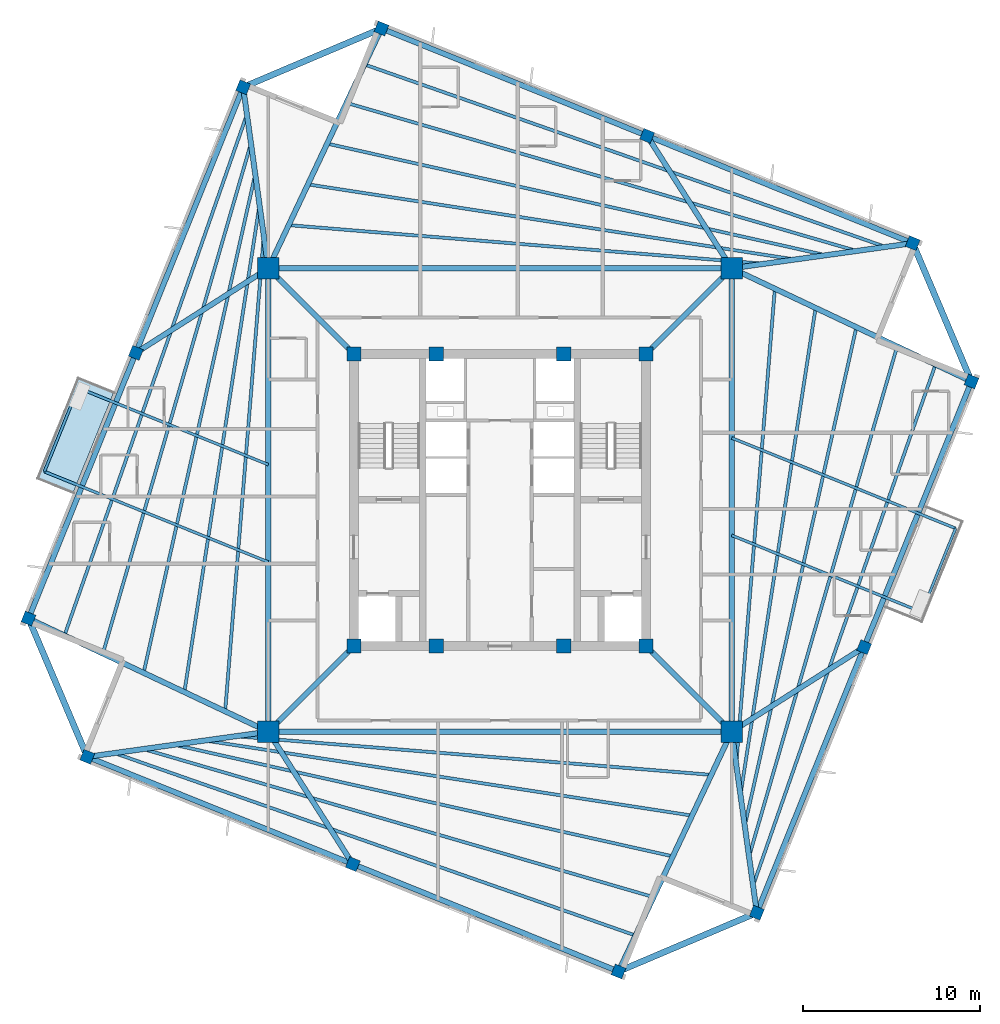
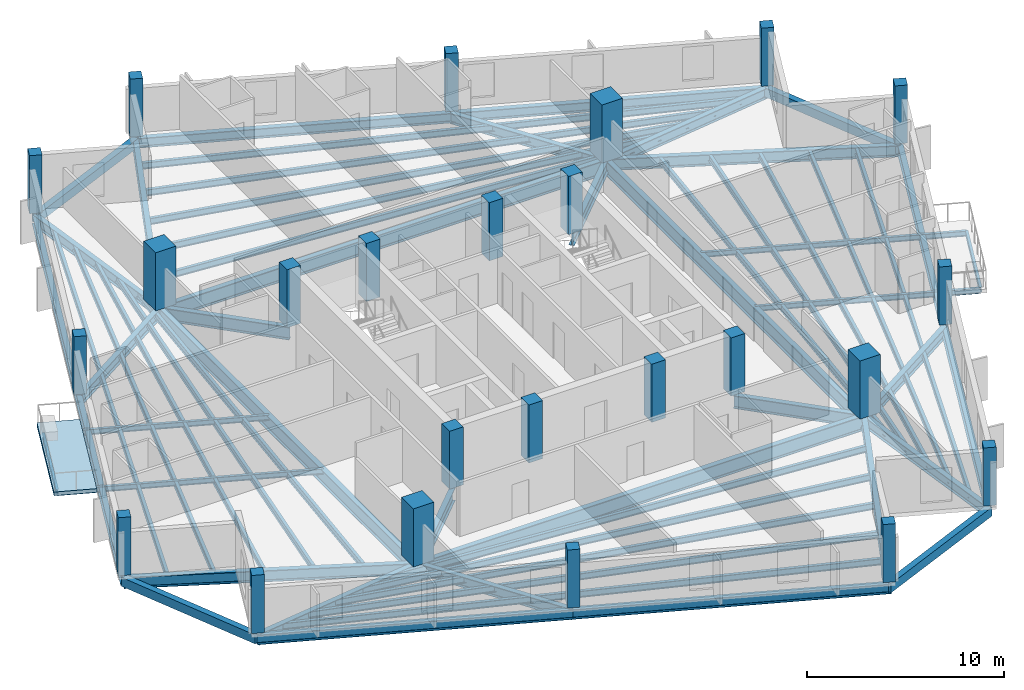
# One storey, part 1 of 9: 58 beams, 24 columns, 1 slab.
"""IFC4 building model written with IfcOpenShell, lengths in metres."""

from ifc_helpers import new_model, si_unit, direction, frame, origin, origin_2d, place, context, subcontext, project, spatial, polyline, rectangle, i_section, outline, extrude, source, transform, mapped, material, layer, layer_set, material_profile, profile_set, type_object, element, save


model = new_model("IFC4")

# Units and contexts
model_context = context("Model", 3, precision=1e-05, world=origin(), true_north=direction((0.0, 1.0)))
body_context = subcontext(model_context, "Body", "Model", "MODEL_VIEW")
ifc_project = project(units=[si_unit("LENGTHUNIT", "METRE"), si_unit("AREAUNIT", "SQUARE_METRE"), si_unit("VOLUMEUNIT", "CUBIC_METRE"), si_unit("PLANEANGLEUNIT", "RADIAN"), si_unit("MASSUNIT", "GRAM", prefix="KILO"), si_unit("THERMODYNAMICTEMPERATUREUNIT", "KELVIN")], contexts=[model_context])

# Site, building, storey
site_placement = place(None, origin())
site = spatial("IfcSite", under=ifc_project, at=site_placement, CompositionType="ELEMENT")
building_placement = place(site_placement, origin())
building = spatial("IfcBuilding", under=site, at=building_placement, Name="Kosmvard Interchange Tower", CompositionType="ELEMENT")
storey_placement = place(building_placement, frame((0.0, 0.0, 301.199951171875)))
storey = spatial("IfcBuildingStorey", under=building, at=storey_placement, Name="L74", CompositionType="ELEMENT", Elevation=301.199951171875)

# Columns
ifc_material_1 = material(Name="Concrete C50/60", Category="concrete")
ifc_material_profile_1 = material_profile(ifc_material_1, rectangle(XDim=0.800048828125, YDim=0.800048828125, at=origin_2d()), Name="CP 800x800")
ifc_profile_set_1 = profile_set([ifc_material_profile_1], Name="Concrete C50/60")
column_type_1 = type_object("IfcColumnType", Name="Core Boundary Pilaster 800x800 C50/60", PredefinedType="PILASTER", material=ifc_profile_set_1)
shared_shape_1 = source(origin(), body_context, "Body", "SweptSolid", [
    extrude(rectangle(XDim=0.800048828125, YDim=0.800048828125, at=origin_2d()), origin(), (0.0, 0.0, 1.0), 3.60009765625),
])
for number, where, z_axis, x_axis, name in (
    (1, (-8.25, -8.25, 0.0), (0.0, 0.0, 1.0), (1.0, 0.0, 0.0), "L74 Core Pilaster CP1"),
    (2, (8.25, -8.25, 0.0), (0.0, 0.0, 1.0), (1.0, 0.0, 0.0), "L74 Core Pilaster CP2"),
    (3, (8.25, 8.25, 0.0), (0.0, 0.0, 1.0), (1.0, 0.0, 0.0), "L74 Core Pilaster CP3"),
    (4, (-8.25, 8.25, 0.0), (0.0, 0.0, 1.0), (1.0, 0.0, 0.0), "L74 Core Pilaster CP4"),
    (5, (-3.60009765625, -8.25, 0.0), (0.0, 0.0, 1.0), (1.0, 0.0, 0.0), "L74 Core Pilaster CP5"),
    (6, (3.60009765625, -8.25, 0.0), (0.0, 0.0, 1.0), (1.0, 0.0, 0.0), "L74 Core Pilaster CP6"),
    (7, (-3.60009765625, 8.25, 0.0), (0.0, 0.0, 1.0), (1.0, 0.0, 0.0), "L74 Core Pilaster CP7"),
    (8, (3.60009765625, 8.25, 0.0), (0.0, 0.0, 1.0), (1.0, 0.0, 0.0), "L74 Core Pilaster CP8"),
):
    element("IfcColumn", number, at=place(storey_placement, frame(where, z_axis=z_axis, x_axis=x_axis)), inside=storey, type_object=column_type_1, Name=name, PredefinedType="PILASTER", context=body_context, shape_type="MappedRepresentation", body=[
        mapped(shared_shape_1, transform((0.0, 0.0, 0.0), scale=1.0)),
    ])
ifc_material_profile_2 = material_profile(ifc_material_1, rectangle(XDim=1.199951171875, YDim=1.199951171875, at=origin_2d()), Name="MC 1200x1200")
ifc_profile_set_2 = profile_set([ifc_material_profile_2], Name="Concrete C50/60")
column_type_2 = type_object("IfcColumnType", Name="Composite Mega-Column 1200x1200 C50/60", PredefinedType="COLUMN", material=ifc_profile_set_2)
shared_shape_2 = source(origin(), body_context, "Body", "SweptSolid", [
    extrude(rectangle(XDim=1.199951171875, YDim=1.199951171875, at=origin_2d()), origin(), (0.0, 0.0, 1.0), 3.60009765625),
])
for number, where, z_axis, x_axis, name in (
    (9, (-13.0810546875, -13.0810546875, 0.0), (0.0, 0.0, 1.0), (1.0, 0.0, 0.0), "L74 Corner Mega-Column MC1"),
    (10, (13.0810546875, -13.0810546875, 0.0), (0.0, 0.0, 1.0), (1.0, 0.0, 0.0), "L74 Corner Mega-Column MC2"),
    (11, (13.0810546875, 13.0810546875, 0.0), (0.0, 0.0, 1.0), (1.0, 0.0, 0.0), "L74 Corner Mega-Column MC3"),
    (12, (-13.0810546875, 13.0810546875, 0.0), (0.0, 0.0, 1.0), (1.0, 0.0, 0.0), "L74 Corner Mega-Column MC4"),
):
    element("IfcColumn", number, at=place(storey_placement, frame(where, z_axis=z_axis, x_axis=x_axis)), inside=storey, type_object=column_type_2, Name=name, PredefinedType="COLUMN", context=body_context, shape_type="MappedRepresentation", body=[
        mapped(shared_shape_2, transform((0.0, 0.0, 0.0), scale=1.0)),
    ])
ifc_material_profile_3 = material_profile(ifc_material_1, rectangle(XDim=0.64990234375, YDim=0.64990234375, at=origin_2d()), Name="TC 650x650")
ifc_profile_set_3 = profile_set([ifc_material_profile_3], Name="Concrete C50/60")
column_type_3 = type_object("IfcColumnType", Name="Zone 5 Perimeter Pier Column 650x650 C50/60", PredefinedType="COLUMN", material=ifc_profile_set_3)
shared_shape_3 = source(origin(), body_context, "Body", "SweptSolid", [
    extrude(rectangle(XDim=0.64990234375, YDim=0.64990234375, at=origin_2d()), origin(), (0.0, 0.0, 1.0), 3.60009765625),
])
for number, where, z_axis, x_axis, name in (
    (13, (14.5009765625, -23.30419921875, 0.0), (0.0, 0.0, 1.0), (0.374606593416, 0.927183854567, 0.0), "L74 Perimeter Pier Column TC-S1"),
    (14, (20.560302734375, -8.306884765625, 0.0), (0.0, 0.0, 1.0), (0.374606593416, 0.927183854567, 0.0), "L74 Perimeter Pier Column TC-S2"),
    (15, (26.61962890625, 6.690185546875, 0.0), (0.0, 0.0, 1.0), (0.374606593416, 0.927183854567, 0.0), "L74 Perimeter Pier Column TC-S3"),
    (16, (23.30419921875, 14.5009765625, 0.0), (0.0, 0.0, 1.0), (0.374606593416, 0.927183854567, 0.0), "L74 Perimeter Pier Column TC-E1"),
    (17, (8.306884765625, 20.560302734375, 0.0), (0.0, 0.0, 1.0), (0.374606593416, 0.927183854567, 0.0), "L74 Perimeter Pier Column TC-E2"),
    (18, (-6.690185546875, 26.61962890625, 0.0), (0.0, 0.0, 1.0), (0.374606593416, 0.927183854567, 0.0), "L74 Perimeter Pier Column TC-E3"),
    (19, (-14.5009765625, 23.30419921875, 0.0), (0.0, 0.0, 1.0), (0.374606593416, 0.927183854567, 0.0), "L74 Perimeter Pier Column TC-N1"),
    (20, (-20.560302734375, 8.306884765625, 0.0), (0.0, 0.0, 1.0), (0.374606593416, 0.927183854567, 0.0), "L74 Perimeter Pier Column TC-N2"),
    (21, (-26.61962890625, -6.690185546875, 0.0), (0.0, 0.0, 1.0), (0.374606593416, 0.927183854567, 0.0), "L74 Perimeter Pier Column TC-N3"),
    (22, (-23.30419921875, -14.5009765625, 0.0), (0.0, 0.0, 1.0), (0.374606593416, 0.927183854567, 0.0), "L74 Perimeter Pier Column TC-W1"),
    (23, (-8.306884765625, -20.560302734375, 0.0), (0.0, 0.0, 1.0), (0.374606593416, 0.927183854567, 0.0), "L74 Perimeter Pier Column TC-W2"),
    (24, (6.690185546875, -26.61962890625, 0.0), (0.0, 0.0, 1.0), (0.374606593416, 0.927183854567, 0.0), "L74 Perimeter Pier Column TC-W3"),
):
    element("IfcColumn", number, at=place(storey_placement, frame(where, z_axis=z_axis, x_axis=x_axis)), inside=storey, type_object=column_type_3, Name=name, PredefinedType="COLUMN", context=body_context, shape_type="MappedRepresentation", body=[
        mapped(shared_shape_3, transform((0.0, 0.0, 0.0), scale=1.0)),
    ])

# Beams
ifc_material_2 = material(Name="Steel S355", Category="steel")
ifc_material_profile_4 = material_profile(ifc_material_2, i_section(OverallWidth=0.14990234375, OverallDepth=0.300048828125, WebThickness=0.007080078125, FlangeThickness=0.0107421875, FilletRadius=0.014892578125, at=origin_2d()), Name="IPE 300")
ifc_profile_set_4 = profile_set([ifc_material_profile_4], Name="Steel S355")
beam_type_1 = type_object("IfcBeamType", Name="Balcony Edge Header Joist IPE 300 S355", PredefinedType="JOIST", material=ifc_profile_set_4)
shared_shape_4 = source(origin(), body_context, "Body", "SweptSolid", [
    extrude(i_section(OverallWidth=0.14990234375, OverallDepth=0.300048828125, WebThickness=0.007080078125, FlangeThickness=0.0107421875, FilletRadius=0.014892578125, at=origin_2d()), origin(), (0.0, 0.0, 1.0), 5.10009765625),
])
for number, where, z_axis, x_axis, name in (
    (25, (-23.812255859375, 6.331298828125, -0.39990234375), (-0.37458256161, -0.927193563684, 0.0), (0.927193563684, -0.37458256161, 0.0), "BM-L74-BJH1"),
    (26, (23.812255859375, -6.331298828125, -0.39990234375), (0.37458256161, 0.927193563684, 0.0), (-0.927193563684, 0.37458256161, 0.0), "BM-L74-BJH2"),
):
    element("IfcBeam", number, at=place(storey_placement, frame(where, z_axis=z_axis, x_axis=x_axis)), inside=storey, type_object=beam_type_1, Name=name, PredefinedType="JOIST", context=body_context, shape_type="MappedRepresentation", body=[
        mapped(shared_shape_4, transform((0.0, 0.0, 0.0), scale=1.0)),
    ])
ifc_material_profile_5 = material_profile(ifc_material_2, i_section(OverallWidth=0.300048828125, OverallDepth=0.800048828125, WebThickness=0.017578125, FlangeThickness=0.032958984375, FilletRadius=0.027099609375, at=origin_2d()), Name="HEB 800")
ifc_profile_set_5 = profile_set([ifc_material_profile_5], Name="Steel S355")
beam_type_2 = type_object("IfcBeamType", Name="Primary Mega-Frame Girder HEB 800 S355", PredefinedType="BEAM", material=ifc_profile_set_5)
shared_shape_5 = source(origin(), body_context, "Body", "SweptSolid", [
    extrude(i_section(OverallWidth=0.300048828125, OverallDepth=0.800048828125, WebThickness=0.017578125, FlangeThickness=0.032958984375, FilletRadius=0.027099609375, at=origin_2d()), origin(), (0.0, 0.0, 1.0), 6.83203125),
])
for number, where, z_axis, x_axis, name in (
    (27, (-8.25, -8.25, -0.64990234375), (-0.707106781187, -0.707106781187, 0.0), (0.707106781187, -0.707106781187, 0.0), "L74 Radial Mega-Frame Girder 1"),
    (28, (8.25, -8.25, -0.64990234375), (0.707106781187, -0.707106781187, 0.0), (0.707106781187, 0.707106781187, 0.0), "L74 Radial Mega-Frame Girder 2"),
    (29, (8.25, 8.25, -0.64990234375), (0.707106781187, 0.707106781187, 0.0), (-0.707106781187, 0.707106781187, 0.0), "L74 Radial Mega-Frame Girder 3"),
    (30, (-8.25, 8.25, -0.64990234375), (-0.707106781187, 0.707106781187, 0.0), (-0.707106781187, -0.707106781187, 0.0), "L74 Radial Mega-Frame Girder 4"),
):
    element("IfcBeam", number, at=place(storey_placement, frame(where, z_axis=z_axis, x_axis=x_axis)), inside=storey, type_object=beam_type_2, Name=name, PredefinedType="BEAM", context=body_context, shape_type="MappedRepresentation", body=[
        mapped(shared_shape_5, transform((0.0, 0.0, 0.0), scale=1.0)),
    ])
ifc_material_profile_6 = material_profile(ifc_material_2, i_section(OverallWidth=0.300048828125, OverallDepth=0.89990234375, WebThickness=0.0185546875, FlangeThickness=0.034912109375, FilletRadius=0.030029296875, at=origin_2d()), Name="HEB 900")
ifc_profile_set_6 = profile_set([ifc_material_profile_6], Name="Steel S355")
beam_type_3 = type_object("IfcBeamType", Name="Mega-Column Ring Girder HEB 900 S355", PredefinedType="BEAM", material=ifc_profile_set_6)
shared_shape_6 = source(origin(), body_context, "Body", "SweptSolid", [
    extrude(i_section(OverallWidth=0.300048828125, OverallDepth=0.89990234375, WebThickness=0.0185546875, FlangeThickness=0.034912109375, FilletRadius=0.030029296875, at=origin_2d()), origin(), (0.0, 0.0, 1.0), 26.162109375),
])
for number, where, z_axis, x_axis, name in (
    (31, (-13.0810546875, -13.0810546875, -0.699951171875), (1.0, 0.0, 0.0), (0.0, 1.0, 0.0), "L74 Mega-Column Ring Girder 1"),
    (32, (13.0810546875, -13.0810546875, -0.699951171875), (0.0, 1.0, 0.0), (-1.0, 0.0, 0.0), "L74 Mega-Column Ring Girder 2"),
    (33, (13.0810546875, 13.0810546875, -0.699951171875), (-1.0, 0.0, 0.0), (0.0, -1.0, 0.0), "L74 Mega-Column Ring Girder 3"),
    (34, (-13.0810546875, 13.0810546875, -0.699951171875), (0.0, -1.0, 0.0), (1.0, 0.0, 0.0), "L74 Mega-Column Ring Girder 4"),
):
    element("IfcBeam", number, at=place(storey_placement, frame(where, z_axis=z_axis, x_axis=x_axis)), inside=storey, type_object=beam_type_3, Name=name, PredefinedType="BEAM", context=body_context, shape_type="MappedRepresentation", body=[
        mapped(shared_shape_6, transform((0.0, 0.0, 0.0), scale=1.0)),
    ])
ifc_material_profile_7 = material_profile(ifc_material_2, i_section(OverallWidth=0.300048828125, OverallDepth=0.60009765625, WebThickness=0.015380859375, FlangeThickness=0.030029296875, FilletRadius=0.027099609375, at=origin_2d()), Name="HEB 600")
ifc_profile_set_7 = profile_set([ifc_material_profile_7], Name="Steel S355")
beam_type_4 = type_object("IfcBeamType", Name="Perimeter Tie Girder HEB 600 S355", PredefinedType="BEAM", material=ifc_profile_set_7)
shared_shape_7 = source(origin(), body_context, "Body", "SweptSolid", [
    extrude(i_section(OverallWidth=0.300048828125, OverallDepth=0.60009765625, WebThickness=0.015380859375, FlangeThickness=0.030029296875, FilletRadius=0.027099609375, at=origin_2d()), origin(), (0.0, 0.0, 1.0), 16.175048828125),
])
for number, where, z_axis, x_axis, name in (
    (35, (14.5009765625, -23.30419921875, -0.550048828125), (0.374607540279, 0.927183472009, 0.0), (-0.927183472009, 0.374607540279, 0.0), "BM-L74-PR01"),
    (36, (23.30419921875, 14.5009765625, -0.550048828125), (-0.927183472009, 0.374607540279, 0.0), (-0.374607540279, -0.927183472009, 0.0), "BM-L74-PR04"),
    (37, (-14.5009765625, 23.30419921875, -0.550048828125), (-0.374607540279, -0.927183472009, 0.0), (0.927183472009, -0.374607540279, 0.0), "BM-L74-PR07"),
    (38, (-23.30419921875, -14.5009765625, -0.550048828125), (0.927183472009, -0.374607540279, 0.0), (0.374607540279, 0.927183472009, 0.0), "BM-L74-PR10"),
):
    element("IfcBeam", number, at=place(storey_placement, frame(where, z_axis=z_axis, x_axis=x_axis)), inside=storey, type_object=beam_type_4, Name=name, PredefinedType="BEAM", context=body_context, shape_type="MappedRepresentation", body=[
        mapped(shared_shape_7, transform((0.0, 0.0, 0.0), scale=1.0)),
    ])
ifc_material_profile_8 = material_profile(ifc_material_2, i_section(OverallWidth=0.300048828125, OverallDepth=0.64990234375, WebThickness=0.01611328125, FlangeThickness=0.031005859375, FilletRadius=0.027099609375, at=origin_2d()), Name="HEB 650")
ifc_profile_set_8 = profile_set([ifc_material_profile_8], Name="Steel S355")
beam_type_5 = type_object("IfcBeamType", Name="Primary Floor Girder HEB 650 S355", PredefinedType="BEAM", material=ifc_profile_set_8)
shared_shape_8 = source(origin(), body_context, "Body", "SweptSolid", [
    extrude(i_section(OverallWidth=0.300048828125, OverallDepth=0.64990234375, WebThickness=0.01611328125, FlangeThickness=0.031005859375, FilletRadius=0.027099609375, at=origin_2d()), origin(), (0.0, 0.0, 1.0), 10.3212890625),
])
for number, where, z_axis, x_axis, name in (
    (39, (13.0810546875, -13.0810546875, -0.574951171875), (0.137572239014, -0.990491735984, 0.0), (0.990491735984, 0.137572239014, 0.0), "BM-L74-RD01"),
    (40, (13.0810546875, 13.0810546875, -0.574951171875), (0.990491735984, 0.137572239014, 0.0), (-0.137572239014, 0.990491735984, 0.0), "BM-L74-RD04"),
    (41, (-13.0810546875, 13.0810546875, -0.574951171875), (-0.137572239014, 0.990491735984, 0.0), (-0.990491735984, -0.137572239014, 0.0), "BM-L74-RD07"),
    (42, (-13.0810546875, -13.0810546875, -0.574951171875), (-0.990491735984, -0.137572239014, 0.0), (0.137572239014, -0.990491735984, 0.0), "BM-L74-RD10"),
):
    element("IfcBeam", number, at=place(storey_placement, frame(where, z_axis=z_axis, x_axis=x_axis)), inside=storey, type_object=beam_type_5, Name=name, PredefinedType="BEAM", context=body_context, shape_type="MappedRepresentation", body=[
        mapped(shared_shape_8, transform((0.0, 0.0, 0.0), scale=1.0)),
    ])
shared_shape_9 = source(origin(), body_context, "Body", "SweptSolid", [
    extrude(i_section(OverallWidth=0.300048828125, OverallDepth=0.60009765625, WebThickness=0.015380859375, FlangeThickness=0.030029296875, FilletRadius=0.027099609375, at=origin_2d()), origin(), (0.0, 0.0, 1.0), 16.1748046875),
])
for number, where, z_axis, x_axis, name in (
    (43, (20.560302734375, -8.306884765625, -0.550048828125), (0.374612782798, 0.92718135387, 0.0), (-0.92718135387, 0.374612782798, 0.0), "BM-L74-PR02"),
    (44, (8.306884765625, 20.560302734375, -0.550048828125), (-0.92718135387, 0.374612782798, 0.0), (-0.374612782798, -0.92718135387, 0.0), "BM-L74-PR05"),
    (45, (-20.560302734375, 8.306884765625, -0.550048828125), (-0.374612782798, -0.92718135387, 0.0), (0.92718135387, -0.374612782798, 0.0), "BM-L74-PR08"),
    (46, (-8.306884765625, -20.560302734375, -0.550048828125), (0.92718135387, -0.374612782798, 0.0), (0.374612782798, 0.92718135387, 0.0), "BM-L74-PR11"),
):
    element("IfcBeam", number, at=place(storey_placement, frame(where, z_axis=z_axis, x_axis=x_axis)), inside=storey, type_object=beam_type_4, Name=name, PredefinedType="BEAM", context=body_context, shape_type="MappedRepresentation", body=[
        mapped(shared_shape_9, transform((0.0, 0.0, 0.0), scale=1.0)),
    ])
shared_shape_10 = source(origin(), body_context, "Body", "SweptSolid", [
    extrude(i_section(OverallWidth=0.300048828125, OverallDepth=0.64990234375, WebThickness=0.01611328125, FlangeThickness=0.031005859375, FilletRadius=0.027099609375, at=origin_2d()), origin(), (0.0, 0.0, 1.0), 8.873046875),
])
for number, where, z_axis, x_axis, name in (
    (47, (13.0810546875, -13.0810546875, -0.574951171875), (0.842912916934, 0.538050011119, 0.0), (-0.538050011119, 0.842912916934, 0.0), "BM-L74-RD02"),
    (48, (13.0810546875, 13.0810546875, -0.574951171875), (-0.538050011119, 0.842912916934, 0.0), (-0.842912916934, -0.538050011119, 0.0), "BM-L74-RD05"),
    (49, (-13.0810546875, 13.0810546875, -0.574951171875), (-0.842912916934, -0.538050011119, 0.0), (0.538050011119, -0.842912916934, 0.0), "BM-L74-RD08"),
    (50, (-13.0810546875, -13.0810546875, -0.574951171875), (0.538050011119, -0.842912916934, 0.0), (0.842912916934, 0.538050011119, 0.0), "BM-L74-RD11"),
):
    element("IfcBeam", number, at=place(storey_placement, frame(where, z_axis=z_axis, x_axis=x_axis)), inside=storey, type_object=beam_type_5, Name=name, PredefinedType="BEAM", context=body_context, shape_type="MappedRepresentation", body=[
        mapped(shared_shape_10, transform((0.0, 0.0, 0.0), scale=1.0)),
    ])
ifc_material_3 = material(Name="Precast concrete C45/55", Category="concrete")
ifc_material_profile_9 = material_profile(ifc_material_3, rectangle(XDim=0.35009765625, YDim=0.550048828125, at=origin_2d()), Name="SL 350x550")
ifc_profile_set_9 = profile_set([ifc_material_profile_9], Name="Precast concrete C45/55")
beam_type_6 = type_object("IfcBeamType", Name="Precast Spandrel Lintel 350x550 C45/55", PredefinedType="LINTEL", material=ifc_profile_set_9)
shared_shape_11 = source(origin(), body_context, "Body", "SweptSolid", [
    extrude(rectangle(XDim=0.35009765625, YDim=0.550048828125, at=origin_2d()), origin(), (0.0, 0.0, 1.0), 8.4853515625),
])
for number, where, z_axis, x_axis, name in (
    (51, (26.61962890625, 6.690185546875, -0.52490234375), (-0.390725696857, 0.920507159025, 0.0), (-0.920507159025, -0.390725696857, 0.0), "BM-L74-SL1"),
    (52, (-6.690185546875, 26.61962890625, -0.52490234375), (-0.920507159025, -0.390725696857, 0.0), (0.390725696857, -0.920507159025, 0.0), "BM-L74-SL2"),
    (53, (-26.61962890625, -6.690185546875, -0.52490234375), (0.390725696857, -0.920507159025, 0.0), (0.920507159025, 0.390725696857, 0.0), "BM-L74-SL3"),
    (54, (6.690185546875, -26.61962890625, -0.52490234375), (0.920507159025, 0.390725696857, 0.0), (-0.390725696857, 0.920507159025, 0.0), "BM-L74-SL4"),
):
    element("IfcBeam", number, at=place(storey_placement, frame(where, z_axis=z_axis, x_axis=x_axis)), inside=storey, type_object=beam_type_6, Name=name, PredefinedType="LINTEL", context=body_context, shape_type="MappedRepresentation", body=[
        mapped(shared_shape_11, transform((0.0, 0.0, 0.0), scale=1.0)),
    ])
ifc_material_profile_10 = material_profile(ifc_material_2, i_section(OverallWidth=0.300048828125, OverallDepth=0.699951171875, WebThickness=0.01708984375, FlangeThickness=0.031982421875, FilletRadius=0.027099609375, at=origin_2d()), Name="HEB 700")
ifc_profile_set_10 = profile_set([ifc_material_profile_10], Name="Steel S355")
beam_type_7 = type_object("IfcBeamType", Name="Primary Floor Girder HEB 700 S355", PredefinedType="BEAM", material=ifc_profile_set_10)
shared_shape_12 = source(origin(), body_context, "Body", "SweptSolid", [
    extrude(i_section(OverallWidth=0.300048828125, OverallDepth=0.699951171875, WebThickness=0.01708984375, FlangeThickness=0.031982421875, FilletRadius=0.027099609375, at=origin_2d()), origin(), (0.0, 0.0, 1.0), 14.97119140625),
])
for number, where, z_axis, x_axis, name in (
    (55, (13.0810546875, 13.0810546875, -0.599853515625), (0.904309155001, -0.426878146761, 0.0), (0.426878146761, 0.904309155001, 0.0), "BM-L74-RD03"),
    (56, (-13.0810546875, 13.0810546875, -0.599853515625), (0.426878146761, 0.904309155001, 0.0), (-0.904309155001, 0.426878146761, 0.0), "BM-L74-RD06"),
    (57, (-13.0810546875, -13.0810546875, -0.599853515625), (-0.904309155001, 0.426878146761, 0.0), (-0.426878146761, -0.904309155001, 0.0), "BM-L74-RD09"),
    (58, (13.0810546875, -13.0810546875, -0.599853515625), (-0.426878146761, -0.904309155001, 0.0), (0.904309155001, -0.426878146761, 0.0), "BM-L74-RD12"),
):
    element("IfcBeam", number, at=place(storey_placement, frame(where, z_axis=z_axis, x_axis=x_axis)), inside=storey, type_object=beam_type_7, Name=name, PredefinedType="BEAM", context=body_context, shape_type="MappedRepresentation", body=[
        mapped(shared_shape_12, transform((0.0, 0.0, 0.0), scale=1.0)),
    ])
ifc_material_profile_11 = material_profile(ifc_material_2, i_section(OverallWidth=0.179931640625, OverallDepth=0.39990234375, WebThickness=0.008544921875, FlangeThickness=0.013427734375, FilletRadius=0.02099609375, at=origin_2d()), Name="IPE 400")
ifc_profile_set_11 = profile_set([ifc_material_profile_11], Name="Steel S355")
beam_type_8 = type_object("IfcBeamType", Name="Upper-Zone Floor Joist IPE 400 S355", PredefinedType="JOIST", material=ifc_profile_set_11)
shared_shape_13 = source(origin(), body_context, "Body", "SweptSolid", [
    extrude(i_section(OverallWidth=0.179931640625, OverallDepth=0.39990234375, WebThickness=0.008544921875, FlangeThickness=0.013427734375, FilletRadius=0.02099609375, at=origin_2d()), origin(), (0.0, 0.0, 1.0), 26.780029296875),
])
for number, where, z_axis, x_axis, name in (
    (59, (13.343017578125, -14.84130859375, -0.449951171875), (0.080972773487, 0.996716313679, 0.0), (-0.996716313679, 0.080972773487, 0.0), "BM-L74-FJ01"),
    (60, (14.84130859375, 13.343017578125, -0.449951171875), (-0.996716313679, 0.080972773487, 0.0), (-0.080972773487, -0.996716313679, 0.0), "BM-L74-FJ06"),
    (61, (-13.343017578125, 14.84130859375, -0.449951171875), (-0.080972773487, -0.996716313679, 0.0), (0.996716313679, -0.080972773487, 0.0), "BM-L74-FJ11"),
    (62, (-14.84130859375, -13.343017578125, -0.449951171875), (0.996716313679, -0.080972773487, 0.0), (0.080972773487, 0.996716313679, 0.0), "BM-L74-FJ16"),
):
    element("IfcBeam", number, at=place(storey_placement, frame(where, z_axis=z_axis, x_axis=x_axis)), inside=storey, type_object=beam_type_8, Name=name, PredefinedType="JOIST", context=body_context, shape_type="MappedRepresentation", body=[
        mapped(shared_shape_13, transform((0.0, 0.0, 0.0), scale=1.0)),
    ])
shared_shape_14 = source(origin(), body_context, "Body", "SweptSolid", [
    extrude(i_section(OverallWidth=0.179931640625, OverallDepth=0.39990234375, WebThickness=0.008544921875, FlangeThickness=0.013427734375, FilletRadius=0.02099609375, at=origin_2d()), origin(), (0.0, 0.0, 1.0), 27.66845703125),
])
for number, where, z_axis, x_axis, name in (
    (63, (13.590087890625, -16.580078125, -0.449951171875), (0.152421855854, 0.988315525456, 0.0), (-0.988315525456, 0.152421855854, 0.0), "BM-L74-FJ02"),
    (64, (16.580078125, 13.590087890625, -0.449951171875), (-0.988315525456, 0.152421855854, 0.0), (-0.152421855854, -0.988315525456, 0.0), "BM-L74-FJ07"),
    (65, (-13.590087890625, 16.580078125, -0.449951171875), (-0.152421855854, -0.988315525456, 0.0), (0.988315525456, -0.152421855854, 0.0), "BM-L74-FJ12"),
    (66, (-16.580078125, -13.590087890625, -0.449951171875), (0.988315525456, -0.152421855854, 0.0), (0.152421855854, 0.988315525456, 0.0), "BM-L74-FJ17"),
):
    element("IfcBeam", number, at=place(storey_placement, frame(where, z_axis=z_axis, x_axis=x_axis)), inside=storey, type_object=beam_type_8, Name=name, PredefinedType="JOIST", context=body_context, shape_type="MappedRepresentation", body=[
        mapped(shared_shape_14, transform((0.0, 0.0, 0.0), scale=1.0)),
    ])
shared_shape_15 = source(origin(), body_context, "Body", "SweptSolid", [
    extrude(i_section(OverallWidth=0.179931640625, OverallDepth=0.39990234375, WebThickness=0.008544921875, FlangeThickness=0.013427734375, FilletRadius=0.02099609375, at=origin_2d()), origin(), (0.0, 0.0, 1.0), 28.691162109375),
])
for number, where, z_axis, x_axis, name in (
    (67, (13.8369140625, -18.31884765625, -0.449951171875), (0.218415018158, 0.975855972899, 0.0), (-0.975855972899, 0.218415018158, 0.0), "BM-L74-FJ03"),
    (68, (18.31884765625, 13.8369140625, -0.449951171875), (-0.975855972899, 0.218415018158, 0.0), (-0.218415018158, -0.975855972899, 0.0), "BM-L74-FJ08"),
    (69, (-13.8369140625, 18.31884765625, -0.449951171875), (-0.218415018158, -0.975855972899, 0.0), (0.975855972899, -0.218415018158, 0.0), "BM-L74-FJ13"),
    (70, (-18.31884765625, -13.8369140625, -0.449951171875), (0.975855972899, -0.218415018158, 0.0), (0.218415018158, 0.975855972899, 0.0), "BM-L74-FJ18"),
):
    element("IfcBeam", number, at=place(storey_placement, frame(where, z_axis=z_axis, x_axis=x_axis)), inside=storey, type_object=beam_type_8, Name=name, PredefinedType="JOIST", context=body_context, shape_type="MappedRepresentation", body=[
        mapped(shared_shape_15, transform((0.0, 0.0, 0.0), scale=1.0)),
    ])
shared_shape_16 = source(origin(), body_context, "Body", "SweptSolid", [
    extrude(i_section(OverallWidth=0.179931640625, OverallDepth=0.39990234375, WebThickness=0.008544921875, FlangeThickness=0.013427734375, FilletRadius=0.02099609375, at=origin_2d()), origin(), (0.0, 0.0, 1.0), 29.83544921875),
])
for number, where, z_axis, x_axis, name in (
    (71, (14.0830078125, -20.05810546875, -0.449951171875), (0.27877586881, 0.960356191717, 0.0), (-0.960356191717, 0.27877586881, 0.0), "BM-L74-FJ04"),
    (72, (20.05810546875, 14.0830078125, -0.449951171875), (-0.960356191717, 0.27877586881, 0.0), (-0.27877586881, -0.960356191717, 0.0), "BM-L74-FJ09"),
    (73, (-14.0830078125, 20.05810546875, -0.449951171875), (-0.27877586881, -0.960356191717, 0.0), (0.960356191717, -0.27877586881, 0.0), "BM-L74-FJ14"),
    (74, (-20.05810546875, -14.0830078125, -0.449951171875), (0.960356191717, -0.27877586881, 0.0), (0.27877586881, 0.960356191717, 0.0), "BM-L74-FJ19"),
):
    element("IfcBeam", number, at=place(storey_placement, frame(where, z_axis=z_axis, x_axis=x_axis)), inside=storey, type_object=beam_type_8, Name=name, PredefinedType="JOIST", context=body_context, shape_type="MappedRepresentation", body=[
        mapped(shared_shape_16, transform((0.0, 0.0, 0.0), scale=1.0)),
    ])
shared_shape_17 = source(origin(), body_context, "Body", "SweptSolid", [
    extrude(i_section(OverallWidth=0.179931640625, OverallDepth=0.39990234375, WebThickness=0.008544921875, FlangeThickness=0.013427734375, FilletRadius=0.02099609375, at=origin_2d()), origin(), (0.0, 0.0, 1.0), 31.0107421875),
])
for number, where, z_axis, x_axis, name in (
    (75, (14.314453125, -21.695068359375, -0.449951171875), (0.330459834828, 0.943820055713, 0.0), (-0.943820055713, 0.330459834828, 0.0), "BM-L74-FJ05"),
    (76, (21.695068359375, 14.314453125, -0.449951171875), (-0.943820055713, 0.330459834828, 0.0), (-0.330459834828, -0.943820055713, 0.0), "BM-L74-FJ10"),
    (77, (-14.314453125, 21.695068359375, -0.449951171875), (-0.330459834828, -0.943820055713, 0.0), (0.943820055713, -0.330459834828, 0.0), "BM-L74-FJ15"),
    (78, (-21.695068359375, -14.314453125, -0.449951171875), (0.943820055713, -0.330459834828, 0.0), (0.330459834828, 0.943820055713, 0.0), "BM-L74-FJ20"),
):
    element("IfcBeam", number, at=place(storey_placement, frame(where, z_axis=z_axis, x_axis=x_axis)), inside=storey, type_object=beam_type_8, Name=name, PredefinedType="JOIST", context=body_context, shape_type="MappedRepresentation", body=[
        mapped(shared_shape_17, transform((0.0, 0.0, 0.0), scale=1.0)),
    ])
ifc_material_profile_12 = material_profile(ifc_material_2, i_section(OverallWidth=0.159912109375, OverallDepth=0.330078125, WebThickness=0.007568359375, FlangeThickness=0.011474609375, FilletRadius=0.01806640625, at=origin_2d()), Name="IPE 330")
ifc_profile_set_12 = profile_set([ifc_material_profile_12], Name="Steel S355")
beam_type_9 = type_object("IfcBeamType", Name="Balcony Cantilever Joist IPE 330 S355", PredefinedType="JOIST", material=ifc_profile_set_12)
shared_shape_18 = source(origin(), body_context, "Body", "SweptSolid", [
    extrude(i_section(OverallWidth=0.159912109375, OverallDepth=0.330078125, WebThickness=0.007568359375, FlangeThickness=0.011474609375, FilletRadius=0.01806640625, at=origin_2d()), origin(), (0.0, 0.0, 1.0), 11.573974609375),
])
for number, where, z_axis, x_axis, name in (
    (79, (-13.0810546875, 1.99560546875, -0.4150390625), (-0.927183654967, 0.374607087443, 0.0), (-0.374607087443, -0.927183654967, 0.0), "BM-L74-BJ1"),
    (80, (13.0810546875, -1.99560546875, -0.4150390625), (0.927183654967, -0.374607087443, 0.0), (0.374607087443, 0.927183654967, 0.0), "BM-L74-BJ2"),
):
    element("IfcBeam", number, at=place(storey_placement, frame(where, z_axis=z_axis, x_axis=x_axis)), inside=storey, type_object=beam_type_9, Name=name, PredefinedType="JOIST", context=body_context, shape_type="MappedRepresentation", body=[
        mapped(shared_shape_18, transform((0.0, 0.0, 0.0), scale=1.0)),
    ])
shared_shape_19 = source(origin(), body_context, "Body", "SweptSolid", [
    extrude(i_section(OverallWidth=0.159912109375, OverallDepth=0.330078125, WebThickness=0.007568359375, FlangeThickness=0.011474609375, FilletRadius=0.01806640625, at=origin_2d()), origin(), (0.0, 0.0, 1.0), 13.63427734375),
])
for number, where, z_axis, x_axis, name in (
    (81, (-13.0810546875, -3.5048828125, -0.4150390625), (-0.927186827234, 0.374599235723, 0.0), (-0.374599235723, -0.927186827234, 0.0), "BM-L74-BJB1"),
    (82, (13.0810546875, 3.5048828125, -0.4150390625), (0.927186827234, -0.374599235723, 0.0), (0.374599235723, 0.927186827234, 0.0), "BM-L74-BJB2"),
):
    element("IfcBeam", number, at=place(storey_placement, frame(where, z_axis=z_axis, x_axis=x_axis)), inside=storey, type_object=beam_type_9, Name=name, PredefinedType="JOIST", context=body_context, shape_type="MappedRepresentation", body=[
        mapped(shared_shape_19, transform((0.0, 0.0, 0.0), scale=1.0)),
    ])

# Slab
ifc_layer = layer(ifc_material_1, 0.22998046875, Name="Concrete C50/60")
ifc_layer_set = layer_set([ifc_layer], Name="Concrete C50/60")
slab_type = type_object("IfcSlabType", Name="Tree-Planter Cantilever Balcony Slab 230 C50/60", PredefinedType="FLOOR", material=ifc_layer_set)
slab_placement = place(storey_placement, frame((0.0, 0.0, -0.22998046875)))
element("IfcSlab", 83, at=slab_placement, inside=storey, type_object=slab_type, Name="L74 Outdoor Terrace Balcony Slab BAL-L74-NE", PredefinedType="FLOOR", context=body_context, shape_type="SweptSolid", body=[
    extrude(outline(polyline([(-24.12060546875, 0.362060546875), (-21.798095703125, 6.110595703125), (-23.837890625, 6.934814453125), (-26.160400390625, 1.186279296875), (-24.12060546875, 0.362060546875)])), origin(), (0.0, 0.0, 1.0), 0.22998046875),
])

save(model, "model.ifc")
